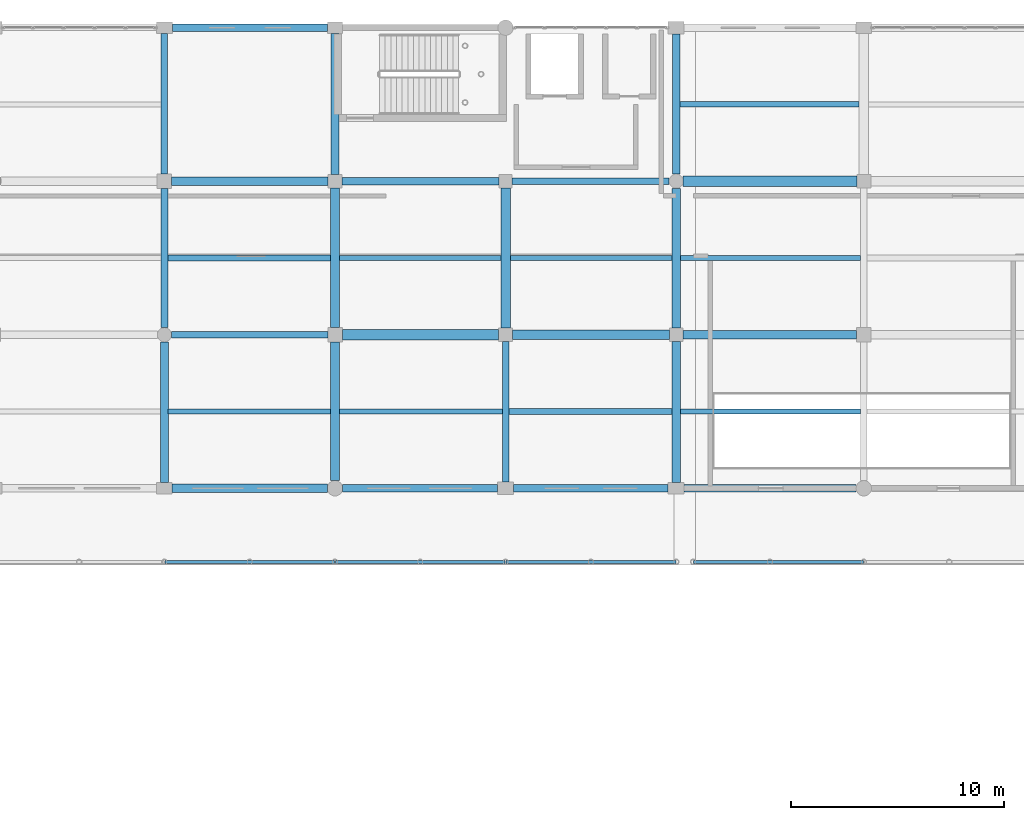
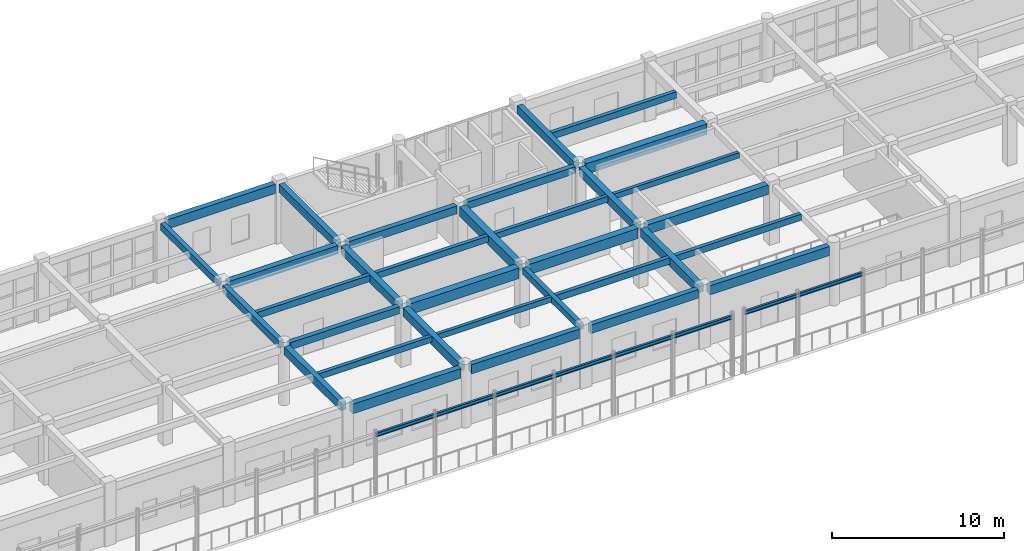
# One storey, part 80 of 160: 37 beams.
"""IFC4 building model written with IfcOpenShell, lengths in metres."""

from ifc_helpers import new_model, si_unit, direction, frame, origin, origin_2d, place, context, subcontext, project, spatial, rectangle, i_section, extrude, material, material_profile, profile_set, type_object, element, save


model = new_model("IFC4")

# Units and contexts
model_context = context("Model", 3, precision=1e-05, world=origin(), true_north=direction((0.0, 1.0)))
body_context = subcontext(model_context, "Body", "Model", "MODEL_VIEW")
ifc_project = project(units=[si_unit("LENGTHUNIT", "METRE"), si_unit("AREAUNIT", "SQUARE_METRE"), si_unit("VOLUMEUNIT", "CUBIC_METRE"), si_unit("PLANEANGLEUNIT", "RADIAN"), si_unit("MASSUNIT", "GRAM", prefix="KILO")], contexts=[model_context])

# Site, building, storey
site_placement = place(None, origin())
site = spatial("IfcSite", under=ifc_project, at=site_placement, CompositionType="ELEMENT")
building_placement = place(site_placement, origin())
building = spatial("IfcBuilding", under=site, at=building_placement, Name="Kharva Crest Polytechnic", CompositionType="ELEMENT")
storey_placement = place(building_placement, frame((0.0, 0.0, 4.5)))
storey = spatial("IfcBuildingStorey", under=building, at=storey_placement, Name="L01", CompositionType="ELEMENT", Elevation=4.5)

# Beams
ifc_material_1 = material(Name="Concrete C35/45", Category="concrete")
ifc_material_profile_1 = material_profile(ifc_material_1, rectangle(XDim=0.300048828125, YDim=0.449951171875, at=origin_2d()), Name="RECT 300 X 450")
ifc_profile_set_1 = profile_set([ifc_material_profile_1], Name="Concrete C35/45")
beam_type_1 = type_object("IfcBeamType", Name="BM-RC-300X450", PredefinedType="BEAM", material=ifc_profile_set_1)
beam_1_placement = place(storey_placement, frame((112.0, 100.699951171875, 3.9951171875), z_axis=(0.0, 1.0, 0.0), x_axis=(-1.0, 0.0, 0.0)))
element("IfcBeam", 1, at=beam_1_placement, inside=storey, type_object=beam_type_1, Name="L01 Girder 15/P-Q", PredefinedType="BEAM", context=body_context, shape_type="SweptSolid", body=[
    extrude(rectangle(XDim=0.300048828125, YDim=0.449951171875, at=origin_2d()), origin(), (0.0, 0.0, 1.0), 6.574951171875),
])
ifc_material_profile_2 = material_profile(ifc_material_1, rectangle(XDim=0.300048828125, YDim=0.47998046875, at=origin_2d()), Name="RECT 300 X 480")
ifc_profile_set_2 = profile_set([ifc_material_profile_2], Name="Concrete C35/45")
beam_type_2 = type_object("IfcBeamType", Name="BM-RC-300X480", PredefinedType="BEAM", material=ifc_profile_set_2)
beam_2_placement = place(storey_placement, frame((96.0, 115.139892578125, 3.97998046875), z_axis=(0.0, 1.0, 0.0), x_axis=(-1.0, 0.0, 0.0)))
element("IfcBeam", 2, at=beam_2_placement, inside=storey, type_object=beam_type_2, Name="L01 Girder 13/R-S", PredefinedType="BEAM", context=body_context, shape_type="SweptSolid", body=[
    extrude(rectangle(XDim=0.300048828125, YDim=0.47998046875, at=origin_2d()), origin(), (0.0, 0.0, 1.0), 6.585205078125),
])
ifc_material_profile_3 = material_profile(ifc_material_1, rectangle(XDim=0.320068359375, YDim=0.5, at=origin_2d()), Name="RECT 320 X 500")
ifc_profile_set_3 = profile_set([ifc_material_profile_3], Name="Concrete C35/45")
beam_type_3 = type_object("IfcBeamType", Name="BM-RC-320X500", PredefinedType="BEAM", material=ifc_profile_set_3)
beam_3_placement = place(storey_placement, frame((96.330078125, 107.60009765625, 3.969970703125), z_axis=(1.0, 0.0, 0.0), x_axis=(0.0, 1.0, 0.0)))
element("IfcBeam", 3, at=beam_3_placement, inside=storey, type_object=beam_type_3, Name="L01 Beam Q/13-14", PredefinedType="BEAM", context=body_context, shape_type="SweptSolid", body=[
    extrude(rectangle(XDim=0.320068359375, YDim=0.5, at=origin_2d()), origin(), (0.0, 0.0, 1.0), 7.329833984375),
])
beam_4_placement = place(storey_placement, frame((112.31005859375, 114.800048828125, 3.969970703125), z_axis=(1.0, 0.0, 0.0), x_axis=(0.0, 1.0, 0.0)))
element("IfcBeam", 4, at=beam_4_placement, inside=storey, type_object=beam_type_3, Name="L01 Beam R/15-16", PredefinedType="BEAM", context=body_context, shape_type="SweptSolid", body=[
    extrude(rectangle(XDim=0.320068359375, YDim=0.5, at=origin_2d()), origin(), (0.0, 0.0, 1.0), 7.35986328125),
])
ifc_material_profile_4 = material_profile(ifc_material_1, rectangle(XDim=0.340087890625, YDim=0.52001953125, at=origin_2d()), Name="RECT 340 X 520")
ifc_profile_set_4 = profile_set([ifc_material_profile_4], Name="Concrete C35/45")
beam_type_4 = type_object("IfcBeamType", Name="BM-RC-340X520", PredefinedType="BEAM", material=ifc_profile_set_4)
beam_5_placement = place(storey_placement, frame((96.0, 107.929931640625, 3.9599609375), z_axis=(0.0, 1.0, 0.0), x_axis=(-1.0, 0.0, 0.0)))
element("IfcBeam", 5, at=beam_5_placement, inside=storey, type_object=beam_type_4, Name="L01 Girder 13/Q-R", PredefinedType="BEAM", context=body_context, shape_type="SweptSolid", body=[
    extrude(rectangle(XDim=0.340087890625, YDim=0.52001953125, at=origin_2d()), origin(), (0.0, 0.0, 1.0), 6.530029296875),
])
ifc_material_profile_5 = material_profile(ifc_material_1, rectangle(XDim=0.35009765625, YDim=0.550048828125, at=origin_2d()), Name="RECT 350 X 550")
ifc_profile_set_5 = profile_set([ifc_material_profile_5], Name="Concrete C35/45")
beam_type_5 = type_object("IfcBeamType", Name="BM-RC-350X550", PredefinedType="BEAM", material=ifc_profile_set_5)
beam_6_placement = place(storey_placement, frame((104.324951171875, 114.800048828125, 3.945068359375), z_axis=(1.0, 0.0, 0.0), x_axis=(0.0, 1.0, 0.0)))
element("IfcBeam", 6, at=beam_6_placement, inside=storey, type_object=beam_type_5, Name="L01 Beam R/14-15", PredefinedType="BEAM", context=body_context, shape_type="SweptSolid", body=[
    extrude(rectangle(XDim=0.35009765625, YDim=0.550048828125, at=origin_2d()), origin(), (0.0, 0.0, 1.0), 7.364990234375),
])
ifc_material_profile_6 = material_profile(ifc_material_1, rectangle(XDim=0.360107421875, YDim=0.580078125, at=origin_2d()), Name="RECT 360 X 580")
ifc_profile_set_6 = profile_set([ifc_material_profile_6], Name="Concrete C35/45")
beam_type_6 = type_object("IfcBeamType", Name="BM-RC-360X580", PredefinedType="BEAM", material=ifc_profile_set_6)
beam_7_placement = place(storey_placement, frame((96.0, 100.675048828125, 3.929931640625), z_axis=(0.0, 1.0, 0.0), x_axis=(-1.0, 0.0, 0.0)))
element("IfcBeam", 7, at=beam_7_placement, inside=storey, type_object=beam_type_6, Name="L01 Girder 13/P-Q", PredefinedType="BEAM", context=body_context, shape_type="SweptSolid", body=[
    extrude(rectangle(XDim=0.360107421875, YDim=0.580078125, at=origin_2d()), origin(), (0.0, 0.0, 1.0), 6.594970703125),
])
beam_8_placement = place(storey_placement, frame((104.0, 115.125, 3.929931640625), z_axis=(0.0, 1.0, 0.0), x_axis=(-1.0, 0.0, 0.0)))
element("IfcBeam", 8, at=beam_8_placement, inside=storey, type_object=beam_type_6, Name="L01 Girder 14/R-S", PredefinedType="BEAM", context=body_context, shape_type="SweptSolid", body=[
    extrude(rectangle(XDim=0.360107421875, YDim=0.580078125, at=origin_2d()), origin(), (0.0, 0.0, 1.0), 6.60009765625),
])
beam_9_placement = place(storey_placement, frame((120.0, 115.1298828125, 3.929931640625), z_axis=(0.0, 1.0, 0.0), x_axis=(-1.0, 0.0, 0.0)))
element("IfcBeam", 9, at=beam_9_placement, inside=storey, type_object=beam_type_6, Name="L01 Girder 16/R-S", PredefinedType="BEAM", context=body_context, shape_type="SweptSolid", body=[
    extrude(rectangle(XDim=0.360107421875, YDim=0.580078125, at=origin_2d()), origin(), (0.0, 0.0, 1.0), 6.570068359375),
])
ifc_material_profile_7 = material_profile(ifc_material_1, rectangle(XDim=0.3798828125, YDim=0.60009765625, at=origin_2d()), Name="RECT 380 X 600")
ifc_profile_set_7 = profile_set([ifc_material_profile_7], Name="Concrete C35/45")
beam_type_7 = type_object("IfcBeamType", Name="BM-RC-380X600", PredefinedType="BEAM", material=ifc_profile_set_7)
beam_10_placement = place(storey_placement, frame((96.340087890625, 114.800048828125, 3.919921875), z_axis=(1.0, 0.0, 0.0), x_axis=(0.0, 1.0, 0.0)))
element("IfcBeam", 10, at=beam_10_placement, inside=storey, type_object=beam_type_7, Name="L01 Beam R/13-14", PredefinedType="BEAM", context=body_context, shape_type="SweptSolid", body=[
    extrude(rectangle(XDim=0.3798828125, YDim=0.60009765625, at=origin_2d()), origin(), (0.0, 0.0, 1.0), 7.3349609375),
])
ifc_material_profile_8 = material_profile(ifc_material_1, rectangle(XDim=0.39990234375, YDim=0.580078125, at=origin_2d()), Name="RECT 400 X 580")
ifc_profile_set_8 = profile_set([ifc_material_profile_8], Name="Concrete C35/45")
beam_type_8 = type_object("IfcBeamType", Name="BM-RC-400X580", PredefinedType="BEAM", material=ifc_profile_set_8)
beam_11_placement = place(storey_placement, frame((104.0, 107.93994140625, 3.929931640625), z_axis=(0.0, 1.0, 0.0), x_axis=(-1.0, 0.0, 0.0)))
element("IfcBeam", 11, at=beam_11_placement, inside=storey, type_object=beam_type_8, Name="L01 Girder 14/Q-R", PredefinedType="BEAM", context=body_context, shape_type="SweptSolid", body=[
    extrude(rectangle(XDim=0.39990234375, YDim=0.580078125, at=origin_2d()), origin(), (0.0, 0.0, 1.0), 6.53515625),
])
beam_12_placement = place(storey_placement, frame((120.0, 107.909912109375, 3.929931640625), z_axis=(0.0, 1.0, 0.0), x_axis=(-1.0, 0.0, 0.0)))
element("IfcBeam", 12, at=beam_12_placement, inside=storey, type_object=beam_type_8, Name="L01 Girder 16/Q-R", PredefinedType="BEAM", context=body_context, shape_type="SweptSolid", body=[
    extrude(rectangle(XDim=0.39990234375, YDim=0.580078125, at=origin_2d()), origin(), (0.0, 0.0, 1.0), 6.56005859375),
])
ifc_material_profile_9 = material_profile(ifc_material_1, rectangle(XDim=0.39990234375, YDim=0.6201171875, at=origin_2d()), Name="RECT 400 X 620")
ifc_profile_set_9 = profile_set([ifc_material_profile_9], Name="Concrete C35/45")
beam_type_9 = type_object("IfcBeamType", Name="BM-RC-400X620", PredefinedType="BEAM", material=ifc_profile_set_9)
beam_13_placement = place(storey_placement, frame((104.0, 100.760009765625, 3.909912109375), z_axis=(0.0, 1.0, 0.0), x_axis=(-1.0, 0.0, 0.0)))
element("IfcBeam", 13, at=beam_13_placement, inside=storey, type_object=beam_type_9, Name="L01 Girder 14/P-Q", PredefinedType="BEAM", context=body_context, shape_type="SweptSolid", body=[
    extrude(rectangle(XDim=0.39990234375, YDim=0.6201171875, at=origin_2d()), origin(), (0.0, 0.0, 1.0), 6.5),
])
beam_14_placement = place(storey_placement, frame((120.0, 100.675048828125, 3.909912109375), z_axis=(0.0, 1.0, 0.0), x_axis=(-1.0, 0.0, 0.0)))
element("IfcBeam", 14, at=beam_14_placement, inside=storey, type_object=beam_type_9, Name="L01 Girder 16/P-Q", PredefinedType="BEAM", context=body_context, shape_type="SweptSolid", body=[
    extrude(rectangle(XDim=0.39990234375, YDim=0.6201171875, at=origin_2d()), origin(), (0.0, 0.0, 1.0), 6.614990234375),
])
ifc_material_profile_10 = material_profile(ifc_material_1, rectangle(XDim=0.419921875, YDim=0.659912109375, at=origin_2d()), Name="RECT 420 X 660")
ifc_profile_set_10 = profile_set([ifc_material_profile_10], Name="Concrete C35/45")
beam_type_10 = type_object("IfcBeamType", Name="BM-RC-420X660", PredefinedType="BEAM", material=ifc_profile_set_10)
beam_15_placement = place(storey_placement, frame((120.31005859375, 107.60009765625, 3.889892578125), z_axis=(1.0, 0.0, 0.0), x_axis=(0.0, 1.0, 0.0)))
element("IfcBeam", 15, at=beam_15_placement, inside=storey, type_object=beam_type_10, Name="L01 Beam Q/16-17", PredefinedType="BEAM", context=body_context, shape_type="SweptSolid", body=[
    extrude(rectangle(XDim=0.419921875, YDim=0.659912109375, at=origin_2d()), origin(), (0.0, 0.0, 1.0), 8.14990234375),
])
ifc_material_profile_11 = material_profile(ifc_material_1, rectangle(XDim=0.449951171875, YDim=0.679931640625, at=origin_2d()), Name="RECT 450 X 680")
ifc_profile_set_11 = profile_set([ifc_material_profile_11], Name="Concrete C35/45")
beam_type_11 = type_object("IfcBeamType", Name="BM-RC-450X680", PredefinedType="BEAM", material=ifc_profile_set_11)
beam_16_placement = place(storey_placement, frame((112.0, 107.925048828125, 3.8798828125), z_axis=(0.0, 1.0, 0.0), x_axis=(-1.0, 0.0, 0.0)))
element("IfcBeam", 16, at=beam_16_placement, inside=storey, type_object=beam_type_11, Name="L01 Girder 15/Q-R", PredefinedType="BEAM", context=body_context, shape_type="SweptSolid", body=[
    extrude(rectangle(XDim=0.449951171875, YDim=0.679931640625, at=origin_2d()), origin(), (0.0, 0.0, 1.0), 6.56494140625),
])
ifc_material_profile_12 = material_profile(ifc_material_1, rectangle(XDim=0.449951171875, YDim=0.719970703125, at=origin_2d()), Name="RECT 450 X 720")
ifc_profile_set_12 = profile_set([ifc_material_profile_12], Name="Concrete C35/45")
beam_type_12 = type_object("IfcBeamType", Name="BM-RC-450X720", PredefinedType="BEAM", material=ifc_profile_set_12)
beam_17_placement = place(storey_placement, frame((112.324951171875, 107.60009765625, 3.860107421875), z_axis=(1.0, 0.0, 0.0), x_axis=(0.0, 1.0, 0.0)))
element("IfcBeam", 17, at=beam_17_placement, inside=storey, type_object=beam_type_12, Name="L01 Beam Q/15-16", PredefinedType="BEAM", context=body_context, shape_type="SweptSolid", body=[
    extrude(rectangle(XDim=0.449951171875, YDim=0.719970703125, at=origin_2d()), origin(), (0.0, 0.0, 1.0), 7.364990234375),
])
ifc_material_profile_13 = material_profile(ifc_material_1, rectangle(XDim=0.47998046875, YDim=0.75, at=origin_2d()), Name="RECT 480 X 750")
ifc_profile_set_13 = profile_set([ifc_material_profile_13], Name="Concrete C35/45")
beam_type_13 = type_object("IfcBeamType", Name="BM-RC-480X750", PredefinedType="BEAM", material=ifc_profile_set_13)
beam_18_placement = place(storey_placement, frame((104.340087890625, 107.60009765625, 3.844970703125), z_axis=(1.0, 0.0, 0.0), x_axis=(0.0, 1.0, 0.0)))
element("IfcBeam", 18, at=beam_18_placement, inside=storey, type_object=beam_type_13, Name="L01 Beam Q/14-15", PredefinedType="BEAM", context=body_context, shape_type="SweptSolid", body=[
    extrude(rectangle(XDim=0.47998046875, YDim=0.75, at=origin_2d()), origin(), (0.0, 0.0, 1.0), 7.3349609375),
])
beam_19_placement = place(storey_placement, frame((120.330078125, 114.800048828125, 3.844970703125), z_axis=(1.0, 0.0, 0.0), x_axis=(0.0, 1.0, 0.0)))
element("IfcBeam", 19, at=beam_19_placement, inside=storey, type_object=beam_type_13, Name="L01 Beam R/16-17", PredefinedType="BEAM", context=body_context, shape_type="SweptSolid", body=[
    extrude(rectangle(XDim=0.47998046875, YDim=0.75, at=origin_2d()), origin(), (0.0, 0.0, 1.0), 8.14501953125),
])
ifc_material_2 = material(Name="Steel S355", Category="steel")
ifc_material_profile_14 = material_profile(ifc_material_2, i_section(OverallWidth=0.14794921875, OverallDepth=0.26611328125, WebThickness=0.007568359375, FlangeThickness=0.012939453125, at=origin_2d()), Name="W250X44.8")
ifc_profile_set_14 = profile_set([ifc_material_profile_14], Name="Steel S355")
beam_type_14 = type_object("IfcBeamType", Name="BM-STL-W250X44", PredefinedType="SPANDREL", material=ifc_profile_set_14)
for number, where, z_axis, x_axis, name in (
    (20, (96.02001953125, 96.949951171875, 4.156982421875), (1.0, 0.0, 0.0), (0.0, 1.0, 0.0), "L01 North Veranda Beam 6"),
    (21, (104.02001953125, 96.949951171875, 4.156982421875), (1.0, 0.0, 0.0), (0.0, 1.0, 0.0), "L01 North Veranda Beam 7"),
    (22, (112.02001953125, 96.949951171875, 4.156982421875), (1.0, 0.0, 0.0), (0.0, 1.0, 0.0), "L01 North Veranda Beam 8"),
    (23, (120.820068359375, 96.949951171875, 4.156982421875), (1.0, 0.0, 0.0), (0.0, 1.0, 0.0), "L01 North Veranda Beam 10"),
):
    element("IfcBeam", number, at=place(storey_placement, frame(where, z_axis=z_axis, x_axis=x_axis)), inside=storey, type_object=beam_type_14, Name=name, PredefinedType="SPANDREL", context=body_context, shape_type="SweptSolid", body=[
        extrude(i_section(OverallWidth=0.14794921875, OverallDepth=0.26611328125, WebThickness=0.007568359375, FlangeThickness=0.012939453125, at=origin_2d()), origin(), (0.0, 0.0, 1.0), 7.9599609375),
    ])
ifc_material_profile_15 = material_profile(ifc_material_1, rectangle(XDim=0.219970703125, YDim=0.3798828125, at=origin_2d()), Name="RECT 220 X 380")
ifc_profile_set_15 = profile_set([ifc_material_profile_15], Name="Concrete C35/45")
beam_type_15 = type_object("IfcBeamType", Name="JS-RC-220X380", PredefinedType="JOIST", material=ifc_profile_set_15)
beam_20_placement = place(storey_placement, frame((104.199951171875, 104.0, 4.030029296875), z_axis=(1.0, 0.0, 0.0), x_axis=(0.0, 1.0, 0.0)))
element("IfcBeam", 24, at=beam_20_placement, inside=storey, type_object=beam_type_15, Name="L01 Floor Joist 17", PredefinedType="JOIST", context=body_context, shape_type="SweptSolid", body=[
    extrude(rectangle(XDim=0.219970703125, YDim=0.3798828125, at=origin_2d()), origin(), (0.0, 0.0, 1.0), 7.650146484375),
])
beam_21_placement = place(storey_placement, frame((120.199951171875, 111.199951171875, 4.030029296875), z_axis=(1.0, 0.0, 0.0), x_axis=(0.0, 1.0, 0.0)))
element("IfcBeam", 25, at=beam_21_placement, inside=storey, type_object=beam_type_15, Name="L01 Floor Joist 37", PredefinedType="JOIST", context=body_context, shape_type="SweptSolid", body=[
    extrude(rectangle(XDim=0.219970703125, YDim=0.3798828125, at=origin_2d()), origin(), (0.0, 0.0, 1.0), 8.449951171875),
])
ifc_material_profile_16 = material_profile(ifc_material_1, rectangle(XDim=0.239990234375, YDim=0.419921875, at=origin_2d()), Name="RECT 240 X 420")
ifc_profile_set_16 = profile_set([ifc_material_profile_16], Name="Concrete C35/45")
beam_type_16 = type_object("IfcBeamType", Name="JS-RC-240X420", PredefinedType="JOIST", material=ifc_profile_set_16)
beam_22_placement = place(storey_placement, frame((96.179931640625, 104.0, 4.010009765625), z_axis=(1.0, 0.0, 0.0), x_axis=(0.0, 1.0, 0.0)))
element("IfcBeam", 26, at=beam_22_placement, inside=storey, type_object=beam_type_16, Name="L01 Floor Joist 16", PredefinedType="JOIST", context=body_context, shape_type="SweptSolid", body=[
    extrude(rectangle(XDim=0.239990234375, YDim=0.419921875, at=origin_2d()), origin(), (0.0, 0.0, 1.0), 7.6201171875),
])
beam_23_placement = place(storey_placement, frame((112.22509765625, 111.199951171875, 4.010009765625), z_axis=(1.0, 0.0, 0.0), x_axis=(0.0, 1.0, 0.0)))
element("IfcBeam", 27, at=beam_23_placement, inside=storey, type_object=beam_type_16, Name="L01 Floor Joist 36", PredefinedType="JOIST", context=body_context, shape_type="SweptSolid", body=[
    extrude(rectangle(XDim=0.239990234375, YDim=0.419921875, at=origin_2d()), origin(), (0.0, 0.0, 1.0), 7.574951171875),
])
ifc_material_profile_17 = material_profile(ifc_material_1, rectangle(XDim=0.25, YDim=0.43994140625, at=origin_2d()), Name="RECT 250 X 440")
ifc_profile_set_17 = profile_set([ifc_material_profile_17], Name="Concrete C35/45")
beam_type_17 = type_object("IfcBeamType", Name="JS-RC-250X440", PredefinedType="JOIST", material=ifc_profile_set_17)
beam_24_placement = place(storey_placement, frame((120.199951171875, 104.0, 4.0), z_axis=(1.0, 0.0, 0.0), x_axis=(0.0, 1.0, 0.0)))
element("IfcBeam", 28, at=beam_24_placement, inside=storey, type_object=beam_type_17, Name="L01 Floor Joist 19", PredefinedType="JOIST", context=body_context, shape_type="SweptSolid", body=[
    extrude(rectangle(XDim=0.25, YDim=0.43994140625, at=origin_2d()), origin(), (0.0, 0.0, 1.0), 8.449951171875),
])
beam_25_placement = place(storey_placement, frame((104.199951171875, 111.199951171875, 4.0), z_axis=(1.0, 0.0, 0.0), x_axis=(0.0, 1.0, 0.0)))
element("IfcBeam", 29, at=beam_25_placement, inside=storey, type_object=beam_type_17, Name="L01 Floor Joist 35", PredefinedType="JOIST", context=body_context, shape_type="SweptSolid", body=[
    extrude(rectangle(XDim=0.25, YDim=0.43994140625, at=origin_2d()), origin(), (0.0, 0.0, 1.0), 7.574951171875),
])
ifc_material_profile_18 = material_profile(ifc_material_1, rectangle(XDim=0.260009765625, YDim=0.4599609375, at=origin_2d()), Name="RECT 260 X 460")
ifc_profile_set_18 = profile_set([ifc_material_profile_18], Name="Concrete C35/45")
beam_type_18 = type_object("IfcBeamType", Name="JS-RC-260X460", PredefinedType="JOIST", material=ifc_profile_set_18)
beam_26_placement = place(storey_placement, frame((112.14990234375, 104.0, 3.989990234375), z_axis=(1.0, 0.0, 0.0), x_axis=(0.0, 1.0, 0.0)))
element("IfcBeam", 30, at=beam_26_placement, inside=storey, type_object=beam_type_18, Name="L01 Floor Joist 18", PredefinedType="JOIST", context=body_context, shape_type="SweptSolid", body=[
    extrude(rectangle(XDim=0.260009765625, YDim=0.4599609375, at=origin_2d()), origin(), (0.0, 0.0, 1.0), 7.650146484375),
])
beam_27_placement = place(storey_placement, frame((96.169921875, 111.199951171875, 3.989990234375), z_axis=(1.0, 0.0, 0.0), x_axis=(0.0, 1.0, 0.0)))
element("IfcBeam", 31, at=beam_27_placement, inside=storey, type_object=beam_type_18, Name="L01 Floor Joist 34", PredefinedType="JOIST", context=body_context, shape_type="SweptSolid", body=[
    extrude(rectangle(XDim=0.260009765625, YDim=0.4599609375, at=origin_2d()), origin(), (0.0, 0.0, 1.0), 7.630126953125),
])
beam_28_placement = place(storey_placement, frame((120.179931640625, 118.39990234375, 3.989990234375), z_axis=(1.0, 0.0, 0.0), x_axis=(0.0, 1.0, 0.0)))
element("IfcBeam", 32, at=beam_28_placement, inside=storey, type_object=beam_type_18, Name="L01 Floor Joist 50", PredefinedType="JOIST", context=body_context, shape_type="SweptSolid", body=[
    extrude(rectangle(XDim=0.260009765625, YDim=0.4599609375, at=origin_2d()), origin(), (0.0, 0.0, 1.0), 8.39501953125),
])
ifc_material_profile_19 = material_profile(ifc_material_1, rectangle(XDim=0.340087890625, YDim=0.60009765625, at=origin_2d()), Name="RECT 340 X 600")
ifc_profile_set_19 = profile_set([ifc_material_profile_19], Name="Concrete C35/45")
beam_type_19 = type_object("IfcBeamType", Name="SP-RC-340X600", PredefinedType="SPANDREL", material=ifc_profile_set_19)
beam_29_placement = place(storey_placement, frame((112.375, 100.39990234375, 3.919921875), z_axis=(1.0, 0.0, 0.0), x_axis=(0.0, 1.0, 0.0)))
element("IfcBeam", 33, at=beam_29_placement, inside=storey, type_object=beam_type_19, Name="L01 Beam P/15-16", PredefinedType="SPANDREL", context=body_context, shape_type="SweptSolid", body=[
    extrude(rectangle(XDim=0.340087890625, YDim=0.60009765625, at=origin_2d()), origin(), (0.0, 0.0, 1.0), 7.25),
])
ifc_material_profile_20 = material_profile(ifc_material_1, rectangle(XDim=0.360107421875, YDim=0.64990234375, at=origin_2d()), Name="RECT 360 X 650")
ifc_profile_set_20 = profile_set([ifc_material_profile_20], Name="Concrete C35/45")
beam_type_20 = type_object("IfcBeamType", Name="SP-RC-360X650", PredefinedType="SPANDREL", material=ifc_profile_set_20)
beam_30_placement = place(storey_placement, frame((104.360107421875, 100.39990234375, 3.89501953125), z_axis=(1.0, 0.0, 0.0), x_axis=(0.0, 1.0, 0.0)))
element("IfcBeam", 34, at=beam_30_placement, inside=storey, type_object=beam_type_20, Name="L01 Beam P/14-15", PredefinedType="SPANDREL", context=body_context, shape_type="SweptSolid", body=[
    extrude(rectangle(XDim=0.360107421875, YDim=0.64990234375, at=origin_2d()), origin(), (0.0, 0.0, 1.0), 7.264892578125),
])
beam_31_placement = place(storey_placement, frame((120.375, 100.39990234375, 3.89501953125), z_axis=(1.0, 0.0, 0.0), x_axis=(0.0, 1.0, 0.0)))
element("IfcBeam", 35, at=beam_31_placement, inside=storey, type_object=beam_type_20, Name="L01 Beam P/16-17", PredefinedType="SPANDREL", context=body_context, shape_type="SweptSolid", body=[
    extrude(rectangle(XDim=0.360107421875, YDim=0.64990234375, at=origin_2d()), origin(), (0.0, 0.0, 1.0), 8.06494140625),
])
beam_32_placement = place(storey_placement, frame((96.375, 122.0, 3.89501953125), z_axis=(1.0, 0.0, 0.0), x_axis=(0.0, 1.0, 0.0)))
element("IfcBeam", 36, at=beam_32_placement, inside=storey, type_object=beam_type_20, Name="L01 Beam S/13-14", PredefinedType="SPANDREL", context=body_context, shape_type="SweptSolid", body=[
    extrude(rectangle(XDim=0.360107421875, YDim=0.64990234375, at=origin_2d()), origin(), (0.0, 0.0, 1.0), 7.264892578125),
])
ifc_material_profile_21 = material_profile(ifc_material_1, rectangle(XDim=0.3798828125, YDim=0.679931640625, at=origin_2d()), Name="RECT 380 X 680")
ifc_profile_set_21 = profile_set([ifc_material_profile_21], Name="Concrete C35/45")
beam_type_21 = type_object("IfcBeamType", Name="SP-RC-380X680", PredefinedType="SPANDREL", material=ifc_profile_set_21)
beam_33_placement = place(storey_placement, frame((96.360107421875, 100.39990234375, 3.8798828125), z_axis=(1.0, 0.0, 0.0), x_axis=(0.0, 1.0, 0.0)))
element("IfcBeam", 37, at=beam_33_placement, inside=storey, type_object=beam_type_21, Name="L01 Beam P/13-14", PredefinedType="SPANDREL", context=body_context, shape_type="SweptSolid", body=[
    extrude(rectangle(XDim=0.3798828125, YDim=0.679931640625, at=origin_2d()), origin(), (0.0, 0.0, 1.0), 7.27978515625),
])

save(model, "model.ifc")
